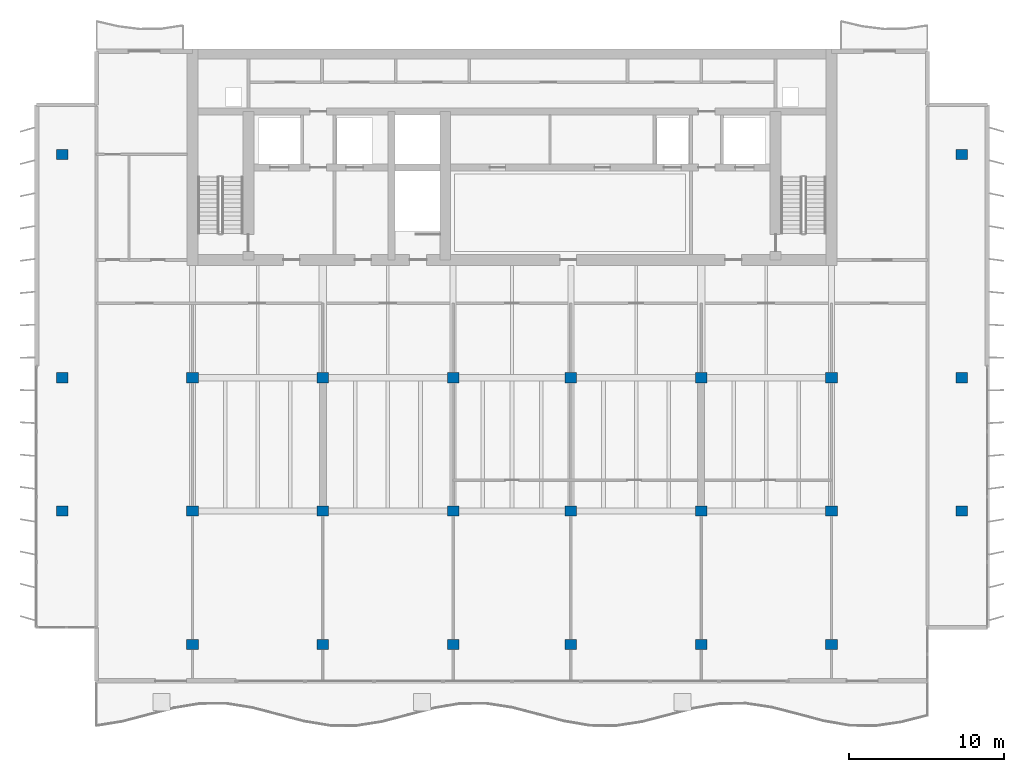
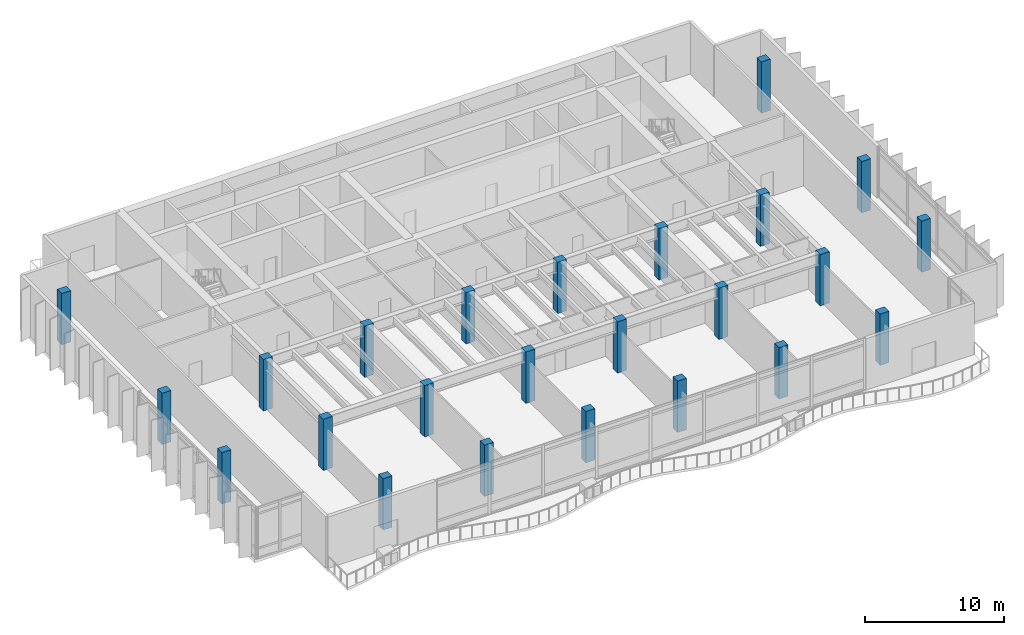
# One storey, part 1 of 14: 24 columns.
"""IFC4 building model written with IfcOpenShell, lengths in metres."""

from ifc_helpers import new_model, si_unit, direction, frame, origin, origin_2d, place, context, subcontext, project, spatial, rectangle, extrude, material, material_profile, profile_set, type_object, element, save


model = new_model("IFC4")

# Units and contexts
model_context = context("Model", 3, precision=1e-05, world=origin(), true_north=direction((0.0, 1.0)))
body_context = subcontext(model_context, "Body", "Model", "MODEL_VIEW")
ifc_project = project(units=[si_unit("LENGTHUNIT", "METRE"), si_unit("AREAUNIT", "SQUARE_METRE"), si_unit("VOLUMEUNIT", "CUBIC_METRE"), si_unit("PLANEANGLEUNIT", "RADIAN"), si_unit("MASSUNIT", "GRAM", prefix="KILO")], contexts=[model_context])

# Site, building, storey
site_placement = place(None, origin())
site = spatial("IfcSite", under=ifc_project, at=site_placement, CompositionType="ELEMENT")
building_placement = place(site_placement, origin())
building = spatial("IfcBuilding", under=site, at=building_placement, Name="Caelmar Bay Residences", CompositionType="ELEMENT")
storey_placement = place(building_placement, frame((0.0, 0.0, 269.39990234375)))
storey = spatial("IfcBuildingStorey", under=building, at=storey_placement, Name="L76", CompositionType="ELEMENT", Elevation=269.39990234375)

# Columns
ifc_material = material(Name="Concrete f'c 55 MPa (8,000 psi)", Category="concrete")
ifc_material_profile = material_profile(ifc_material, rectangle(XDim=0.75, YDim=0.64990234375, at=origin_2d()), Name="RC-COL-750X650")
ifc_profile_set = profile_set([ifc_material_profile], Name="Concrete f'c 55 MPa (8,000 psi)")
column_type = type_object("IfcColumnType", Name="COL-RC-750X650", PredefinedType="COLUMN", material=ifc_profile_set)
for number, where, z_axis, x_axis, name in (
    (1, (18.300048828125, 12.199951171875, 0.0), (0.0, 0.0, 1.0), (1.0, 0.0, 0.0), "L76 Column (18.30,12.20)"),
    (2, (26.699951171875, 12.199951171875, 0.0), (0.0, 0.0, 1.0), (1.0, 0.0, 0.0), "L76 Column (26.70,12.20)"),
    (3, (35.10009765625, 12.199951171875, 0.0), (0.0, 0.0, 1.0), (1.0, 0.0, 0.0), "L76 Column (35.10,12.20)"),
    (4, (42.699951171875, 12.199951171875, 0.0), (0.0, 0.0, 1.0), (1.0, 0.0, 0.0), "L76 Column (42.70,12.20)"),
    (5, (51.10009765625, 12.199951171875, 0.0), (0.0, 0.0, 1.0), (1.0, 0.0, 0.0), "L76 Column (51.10,12.20)"),
    (6, (59.5, 12.199951171875, 0.0), (0.0, 0.0, 1.0), (1.0, 0.0, 0.0), "L76 Column (59.50,12.20)"),
    (7, (9.89990234375, 20.800048828125, 0.0), (0.0, 0.0, 1.0), (1.0, 0.0, 0.0), "L76 Column (9.90,20.80)"),
    (8, (18.300048828125, 20.800048828125, 0.0), (0.0, 0.0, 1.0), (1.0, 0.0, 0.0), "L76 Column (18.30,20.80)"),
    (9, (26.699951171875, 20.800048828125, 0.0), (0.0, 0.0, 1.0), (1.0, 0.0, 0.0), "L76 Column (26.70,20.80)"),
    (10, (35.10009765625, 20.800048828125, 0.0), (0.0, 0.0, 1.0), (1.0, 0.0, 0.0), "L76 Column (35.10,20.80)"),
    (11, (42.699951171875, 20.800048828125, 0.0), (0.0, 0.0, 1.0), (1.0, 0.0, 0.0), "L76 Column (42.70,20.80)"),
    (12, (51.10009765625, 20.800048828125, 0.0), (0.0, 0.0, 1.0), (1.0, 0.0, 0.0), "L76 Column (51.10,20.80)"),
    (13, (59.5, 20.800048828125, 0.0), (0.0, 0.0, 1.0), (1.0, 0.0, 0.0), "L76 Column (59.50,20.80)"),
    (14, (67.89990234375, 20.800048828125, 0.0), (0.0, 0.0, 1.0), (1.0, 0.0, 0.0), "L76 Column (67.90,20.80)"),
    (15, (9.89990234375, 29.39990234375, 0.0), (0.0, 0.0, 1.0), (1.0, 0.0, 0.0), "L76 Column (9.90,29.40)"),
    (16, (18.300048828125, 29.39990234375, 0.0), (0.0, 0.0, 1.0), (1.0, 0.0, 0.0), "L76 Column (18.30,29.40)"),
    (17, (26.699951171875, 29.39990234375, 0.0), (0.0, 0.0, 1.0), (1.0, 0.0, 0.0), "L76 Column (26.70,29.40)"),
    (18, (35.10009765625, 29.39990234375, 0.0), (0.0, 0.0, 1.0), (1.0, 0.0, 0.0), "L76 Column (35.10,29.40)"),
    (19, (42.699951171875, 29.39990234375, 0.0), (0.0, 0.0, 1.0), (1.0, 0.0, 0.0), "L76 Column (42.70,29.40)"),
    (20, (51.10009765625, 29.39990234375, 0.0), (0.0, 0.0, 1.0), (1.0, 0.0, 0.0), "L76 Column (51.10,29.40)"),
    (21, (59.5, 29.39990234375, 0.0), (0.0, 0.0, 1.0), (1.0, 0.0, 0.0), "L76 Column (59.50,29.40)"),
    (22, (67.89990234375, 29.39990234375, 0.0), (0.0, 0.0, 1.0), (1.0, 0.0, 0.0), "L76 Column (67.90,29.40)"),
    (23, (9.89990234375, 43.800048828125, 0.0), (0.0, 0.0, 1.0), (1.0, 0.0, 0.0), "L76 Column (9.90,43.80)"),
    (24, (67.89990234375, 43.800048828125, 0.0), (0.0, 0.0, 1.0), (1.0, 0.0, 0.0), "L76 Column (67.90,43.80)"),
):
    element("IfcColumn", number, at=place(storey_placement, frame(where, z_axis=z_axis, x_axis=x_axis)), inside=storey, type_object=column_type, Name=name, PredefinedType="COLUMN", context=body_context, shape_type="SweptSolid", body=[
        extrude(rectangle(XDim=0.75, YDim=0.64990234375, at=origin_2d()), origin(), (0.0, 0.0, 1.0), 4.5),
    ])

save(model, "model.ifc")
